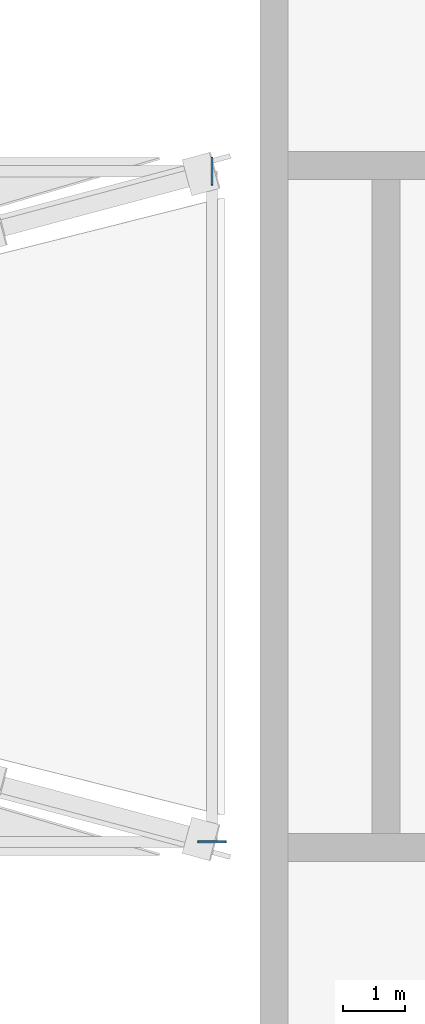
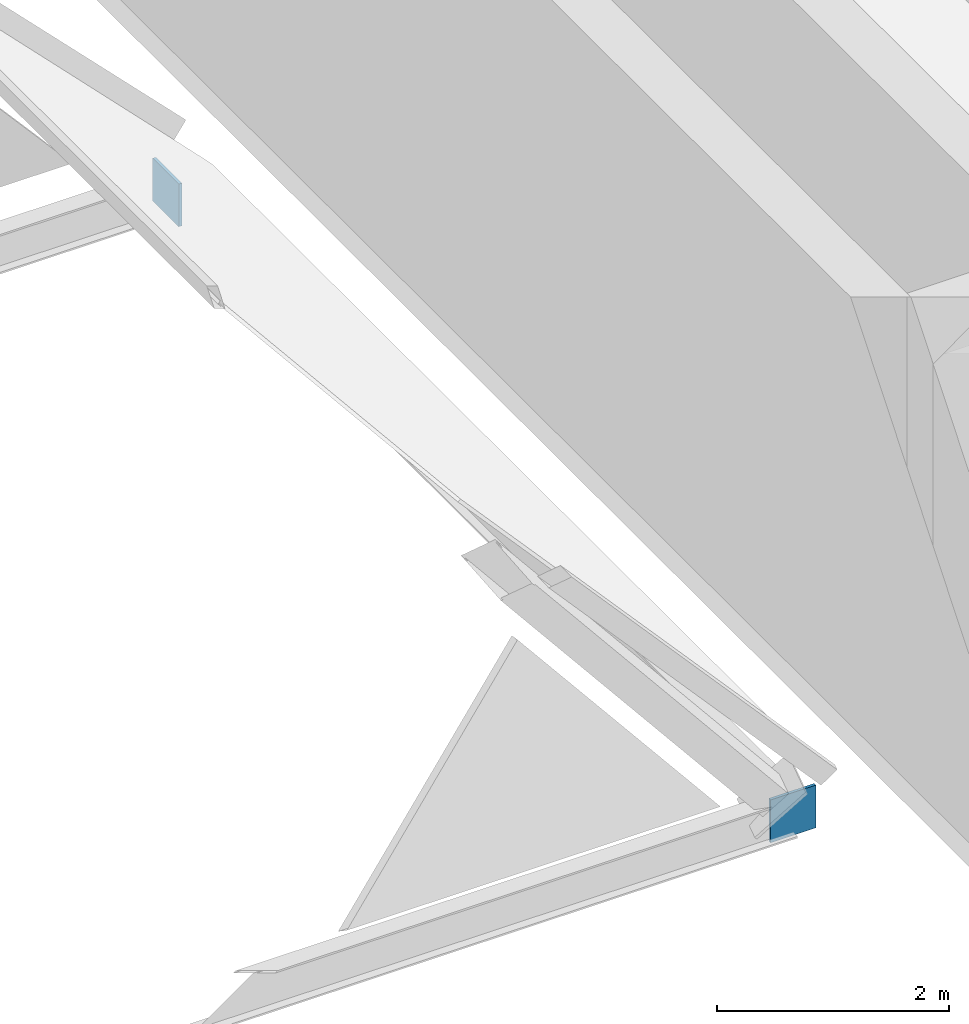
# One storey, part 4 of 5: 2 discrete accessories.
"""IFC4 building model written with IfcOpenShell, lengths in metres."""

import ifcopenshell
import ifcopenshell.guid

model = None  # the IFC model being written
_history = None  # IfcOwnerHistory: only IFC2X3 demands one
_inside = {}  # id of a spatial element -> (the spatial element, [elements in it])
_under = {}  # id of a project, library or spatial element -> (it, [spatial elements below it])
_declared = {}  # id of a project -> (the project, [libraries it declares])
_typed = {}  # id of a type object -> (the type object, [elements of that type])
_made_of = {}  # id of a material, layer set ... -> (it, [elements and type objects made of it])


def new_model(schema):
    """Start an empty IFC model of exactly this schema.

    Asked for "IFC4X3", IfcOpenShell would pick the latest addendum, in which some entities
    have other attributes; the version numbers below select the first issue.
    IFC2X3 requires an IfcOwnerHistory on every rooted entity: one is made here for all.
    """
    global model, _history
    if schema == "IFC4X3":
        model = ifcopenshell.file(schema_version=(4, 3, 0, 0))
    else:
        model = ifcopenshell.file(schema=schema)
    _inside.clear()
    _under.clear()
    _declared.clear()
    _typed.clear()
    _made_of.clear()
    _history = None
    if model.schema == "IFC2X3":
        org = make("IfcOrganization", Name="unknown")
        user = make(
            "IfcPersonAndOrganization",
            ThePerson=make("IfcPerson", FamilyName="unknown"),
            TheOrganization=org,
        )
        app = make(
            "IfcApplication",
            ApplicationDeveloper=org,
            Version="unknown",
            ApplicationFullName="unknown",
            ApplicationIdentifier="unknown",
        )
        _history = make(
            "IfcOwnerHistory",
            OwningUser=user,
            OwningApplication=app,
            ChangeAction="ADDED",
            CreationDate=0,
        )
    return model


def make(cls, **values):
    """One entity of the class cls with the attributes given. An attribute that is None is left unset."""
    return model.create_entity(
        cls, **{name: value for name, value in values.items() if value is not None}
    )


def rooted(cls, **values):
    """An entity with a GlobalId (a new one), such as an element, a storey or a relation."""
    return make(cls, GlobalId=ifcopenshell.guid.new(), OwnerHistory=_history, **values)


def si_unit(unit_type, name, prefix=None):
    """IfcSIUnit, for example si_unit("LENGTHUNIT", "METRE", prefix="MILLI")."""
    return make("IfcSIUnit", UnitType=unit_type, Prefix=prefix, Name=name)


def assignment(units):
    """IfcUnitAssignment: the units of a project."""
    return None if units is None else make("IfcUnitAssignment", Units=units)


def point(xyz):
    """IfcCartesianPoint."""
    return None if xyz is None else make("IfcCartesianPoint", Coordinates=xyz)


def direction(xyz):
    """IfcDirection."""
    return None if xyz is None else make("IfcDirection", DirectionRatios=xyz)


def frame(location, z_axis=None, x_axis=None):
    """IfcAxis2Placement3D, a coordinate frame: its origin and axes. An axis left out is left unset."""
    return make(
        "IfcAxis2Placement3D",
        Location=point(location),
        Axis=direction(z_axis),
        RefDirection=direction(x_axis),
    )


def frame_2d(location, x_axis=None):
    """IfcAxis2Placement2D, a coordinate frame in the plane: its origin and x axis."""
    return make(
        "IfcAxis2Placement2D", Location=point(location), RefDirection=direction(x_axis)
    )


def origin():
    """The frame at (0, 0, 0) with its axes left unset."""
    return frame((0.0, 0.0, 0.0))


def origin_2d():
    """The frame at (0, 0) in the plane with its x axis left unset."""
    return frame_2d((0.0, 0.0))


def place(relative_to, where):
    """IfcLocalPlacement: puts the frame where relative to a parent placement (None: the world)."""
    return make(
        "IfcLocalPlacement", PlacementRelTo=relative_to, RelativePlacement=where
    )


def context(
    kind, dimensions, precision=None, world=None, true_north=None, identifier=None
):
    """IfcGeometricRepresentationContext, for example the 3D "Model" context."""
    return make(
        "IfcGeometricRepresentationContext",
        ContextIdentifier=identifier,
        ContextType=kind,
        CoordinateSpaceDimension=dimensions,
        Precision=precision,
        WorldCoordinateSystem=world,
        TrueNorth=true_north,
    )


def subcontext(parent, identifier, kind, view, scale=None):
    """IfcGeometricRepresentationSubContext, for example "Body" below "Model"."""
    return make(
        "IfcGeometricRepresentationSubContext",
        ContextIdentifier=identifier,
        ContextType=kind,
        ParentContext=parent,
        TargetScale=scale,
        TargetView=view,
    )


def project(units=None, contexts=None):
    """IfcProject with its units and contexts."""
    return rooted(
        "IfcProject",
        Name="project",
        RepresentationContexts=contexts,
        UnitsInContext=assignment(units),
    )


def spatial(cls, under=None, at=None, **own):
    """A site, building, storey or space (cls), placed at a placement, below another one or the project."""
    s = rooted(cls, ObjectPlacement=at, **own)
    if under is not None:
        _under.setdefault(under.id(), (under, []))[1].append(s)
    return s


def profile(cls, at=None, kind="AREA", **sizes):
    """A parametric profile (cls). Its sizes go by their IFC names, for example OverallWidth=200.0."""
    return make(cls, ProfileType=kind, Position=at, **sizes)


def rectangle(**sizes):
    """IfcRectangleProfileDef."""
    return profile("IfcRectangleProfileDef", **sizes)


def extrude(swept, where, along, depth):
    """IfcExtrudedAreaSolid: the profile swept, set in the frame where, extruded along a direction by depth."""
    return make(
        "IfcExtrudedAreaSolid",
        SweptArea=swept,
        Position=where,
        ExtrudedDirection=direction(along),
        Depth=depth,
    )


def shape(context_of_items, identifier, shape_type, items):
    """IfcShapeRepresentation: the items that make up one representation, for example the "Body"."""
    return make(
        "IfcShapeRepresentation",
        ContextOfItems=context_of_items,
        RepresentationIdentifier=identifier,
        RepresentationType=shape_type,
        Items=items,
    )


def material(Name=None, Category=None):
    """IfcMaterial."""
    return make("IfcMaterial", Name=Name, Category=Category)


def material_profile(
    of_material, cross_section, Name=None, Category=None, Priority=None
):
    """IfcMaterialProfile: a cross section and its material."""
    return make(
        "IfcMaterialProfile",
        Name=Name,
        Material=of_material,
        Profile=cross_section,
        Priority=Priority,
        Category=Category,
    )


def profile_set(profiles, Name=None, composite=None):
    """IfcMaterialProfileSet."""
    return make(
        "IfcMaterialProfileSet",
        Name=Name,
        MaterialProfiles=profiles,
        CompositeProfile=composite,
    )


def made_of(thing, what):
    """Note that an element or type object is made of a material, layer set ...; save() writes the relation."""
    if what is not None:
        _made_of.setdefault(what.id(), (what, []))[1].append(thing)
    return thing


def type_object(cls, material=None, **own):
    """A type object (cls), such as IfcWallType, which elements share."""
    return made_of(rooted(cls, **own), material)


def element(
    cls,
    number,
    at=None,
    inside=None,
    cuts=None,
    type_object=None,
    material=None,
    context=None,
    identifier="Body",
    shape_type=None,
    held_by="IfcProductDefinitionShape",
    body=None,
    shapes=None,
    **own,
):
    """One element of the class cls, such as IfcWall. Its Tag is "e" and its number.

    at: its placement. inside: the storey or other place that contains it. cuts: it is an
    opening in that element (IfcRelVoidsElement). A single representation is given by context,
    identifier, shape_type and body (its items); several are given by shapes. held_by: the class
    of the entity that holds the representations. save() writes the other relations.
    """
    e = rooted(cls, Tag="e%d" % number, ObjectPlacement=at, **own)
    if body is not None:
        shapes = [shape(context, identifier, shape_type, body)]
    if shapes is not None:
        e.Representation = make(held_by, Representations=shapes)
    if inside is not None:
        _inside.setdefault(inside.id(), (inside, []))[1].append(e)
    if cuts is not None:
        rooted(
            "IfcRelVoidsElement", RelatingBuildingElement=cuts, RelatedOpeningElement=e
        )
    if type_object is not None:
        _typed.setdefault(type_object.id(), (type_object, []))[1].append(e)
    return made_of(e, material)


def aggregate(whole, parts):
    """IfcRelAggregates: a whole, such as a stair, and the parts it consists of."""
    return rooted("IfcRelAggregates", RelatingObject=whole, RelatedObjects=parts)


def save(model, path):
    """Write the relations noted so far, then the file.

    IfcRelAggregates (storeys below a building ...), IfcRelContainedInSpatialStructure (elements
    in a storey), IfcRelDefinesByType, IfcRelAssociatesMaterial and IfcRelDeclares: one each for
    every whole, place, type object, material and project.
    """
    for whole, parts in _under.values():
        aggregate(whole, parts)
    for where, things in _inside.values():
        rooted(
            "IfcRelContainedInSpatialStructure",
            RelatedElements=things,
            RelatingStructure=where,
        )
    for kind, things in _typed.values():
        rooted("IfcRelDefinesByType", RelatedObjects=things, RelatingType=kind)
    for what, things in _made_of.values():
        rooted("IfcRelAssociatesMaterial", RelatedObjects=things, RelatingMaterial=what)
    for by, libraries in _declared.values():
        rooted("IfcRelDeclares", RelatingContext=by, RelatedDefinitions=libraries)
    model.write(path)


model = new_model("IFC4")

# Units and contexts
model_context = context("Model", 3, precision=1e-05, world=origin(), true_north=direction((0.0, 1.0)))
body_context = subcontext(model_context, "Body", "Model", "MODEL_VIEW")
ifc_project = project(units=[si_unit("LENGTHUNIT", "METRE"), si_unit("AREAUNIT", "SQUARE_METRE"), si_unit("VOLUMEUNIT", "CUBIC_METRE"), si_unit("PLANEANGLEUNIT", "RADIAN"), si_unit("MASSUNIT", "GRAM", prefix="KILO")], contexts=[model_context])

# Site, building, storey
site_placement = place(None, origin())
site = spatial("IfcSite", under=ifc_project, at=site_placement, CompositionType="ELEMENT")
building_placement = place(site_placement, origin())
building = spatial("IfcBuilding", under=site, at=building_placement, Name="Perihelion Cross Residences", CompositionType="ELEMENT")
storey_placement = place(building_placement, frame((0.0, 0.0, 303.300048828125)))
storey = spatial("IfcBuildingStorey", under=building, at=storey_placement, Name="L77", CompositionType="ELEMENT", Elevation=303.300048828125)

# Discrete accessories
ifc_material = material(Name="Structural steel S355 plate", Category="steel")
ifc_material_profile = material_profile(ifc_material, rectangle(XDim=0.449951171875, YDim=0.449951171875, at=origin_2d()), Name="Crown end plate")
ifc_profile_set = profile_set([ifc_material_profile], Name="Structural steel S355 plate")
discrete_accessory_type = type_object("IfcDiscreteAccessoryType", Name="Crown end plate", PredefinedType="BRACKET", material=ifc_profile_set)
discrete_accessory_1_placement = place(storey_placement, frame((20.833251953125, -5.39794921875, -0.45849609375), z_axis=(0.0, 1.0, 0.0), x_axis=(-1.0, 0.0, 0.0)))
element("IfcDiscreteAccessory", 1, at=discrete_accessory_1_placement, inside=storey, type_object=discrete_accessory_type, Name="Crown end plate", PredefinedType="BRACKET", context=body_context, shape_type="SweptSolid", body=[
    extrude(rectangle(XDim=0.449951171875, YDim=0.449951171875, at=origin_2d()), origin(), (0.0, 0.0, 1.0), 0.030029296875),
])
discrete_accessory_2_placement = place(storey_placement, frame((20.84814453125, 5.3828125, -0.45849609375), z_axis=(-1.0, 0.0, 0.0), x_axis=(0.0, -1.0, 0.0)))
element("IfcDiscreteAccessory", 2, at=discrete_accessory_2_placement, inside=storey, type_object=discrete_accessory_type, Name="Crown end plate", PredefinedType="BRACKET", context=body_context, shape_type="SweptSolid", body=[
    extrude(rectangle(XDim=0.449951171875, YDim=0.449951171875, at=origin_2d()), origin(), (0.0, 0.0, 1.0), 0.02978515625),
])

save(model, "model.ifc")
